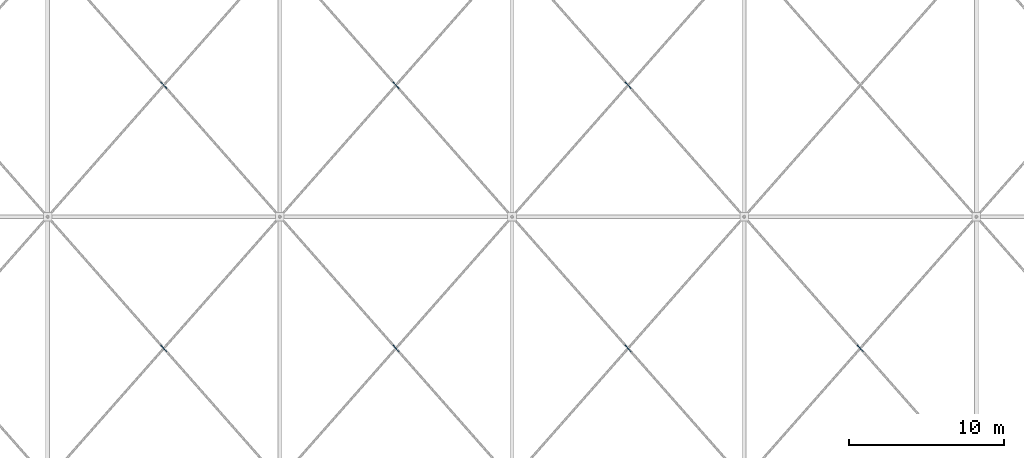
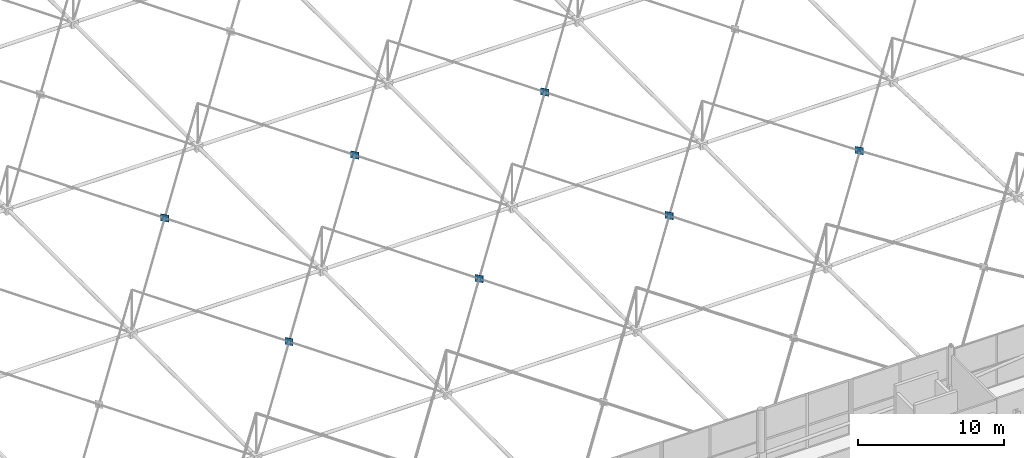
# One storey, part 181 of 224: 7 plates.
"""IFC4 building model written with IfcOpenShell, lengths in metres."""

from ifc_helpers import new_model, si_unit, direction, frame, origin, origin_2d, place, context, subcontext, project, spatial, rectangle, extrude, material, layer, layer_set, type_object, element, save


model = new_model("IFC4")

# Units and contexts
model_context = context("Model", 3, precision=1e-05, world=origin(), true_north=direction((0.0, 1.0)))
body_context = subcontext(model_context, "Body", "Model", "MODEL_VIEW")
ifc_project = project(units=[si_unit("LENGTHUNIT", "METRE"), si_unit("AREAUNIT", "SQUARE_METRE"), si_unit("VOLUMEUNIT", "CUBIC_METRE"), si_unit("PLANEANGLEUNIT", "RADIAN"), si_unit("MASSUNIT", "GRAM", prefix="KILO")], contexts=[model_context])

# Site, building, storey
site_placement = place(None, origin())
site = spatial("IfcSite", under=ifc_project, at=site_placement, CompositionType="ELEMENT")
building_placement = place(site_placement, origin())
building = spatial("IfcBuilding", under=site, at=building_placement, Name="Qamarlyn Nura Convention Centre", CompositionType="ELEMENT")
storey_placement = place(building_placement, frame((0.0, 0.0, 10.800048828125)))
storey = spatial("IfcBuildingStorey", under=building, at=storey_placement, Name="L02", CompositionType="ELEMENT", Elevation=10.800048828125)

# Plates
ifc_material = material(Name="Structural steel ASTM A572 Grade 50", Category="steel")
ifc_layer = layer(ifc_material, 0.035888671875, Name="GP-SN1")
ifc_layer_set = layer_set([ifc_layer], Name="Structural steel ASTM A572 Grade 50")
plate_type = type_object("IfcPlateType", Name="GP-SN1", PredefinedType="USERDEFINED", material=ifc_layer_set)
for number, where, z_axis, x_axis, name in (
    (1, (52.5, 43.5, 2.309814453125), (0.0, 0.0, 1.0), (-0.661622086957, 0.749837458421, 0.0), "Space frame X-brace crossing gusset plate 5-3"),
    (2, (52.5, 60.5, 2.309814453125), (0.0, 0.0, 1.0), (-0.661622086957, 0.749837458421, 0.0), "Space frame X-brace crossing gusset plate 5-4"),
    (3, (67.5, 43.5, 2.309814453125), (0.0, 0.0, 1.0), (-0.661622086957, 0.749837458421, 0.0), "Space frame X-brace crossing gusset plate 6-3"),
    (4, (67.5, 60.5, 2.309814453125), (0.0, 0.0, 1.0), (-0.661622086957, 0.749837458421, 0.0), "Space frame X-brace crossing gusset plate 6-4"),
    (5, (82.5, 43.5, 2.317138671875), (0.0, 0.0, 1.0), (-0.661622086957, 0.749837458421, 0.0), "Space frame X-brace crossing gusset plate 7-3"),
    (6, (82.5, 60.5, 2.309814453125), (0.0, 0.0, 1.0), (-0.661622086957, 0.749837458421, 0.0), "Space frame X-brace crossing gusset plate 7-4"),
    (7, (97.5, 43.5, 2.487548828125), (0.0, 0.0, 1.0), (-0.661622086957, 0.749837458421, 0.0), "Space frame X-brace crossing gusset plate 8-3"),
):
    element("IfcPlate", number, at=place(storey_placement, frame(where, z_axis=z_axis, x_axis=x_axis)), inside=storey, type_object=plate_type, Name=name, ObjectType="GUSSET PLATE", PredefinedType="USERDEFINED", context=body_context, shape_type="SweptSolid", body=[
        extrude(rectangle(XDim=0.580078125, YDim=0.035888671875, at=origin_2d()), origin(), (0.0, 0.0, 1.0), 0.580078125),
    ])

save(model, "model.ifc")
